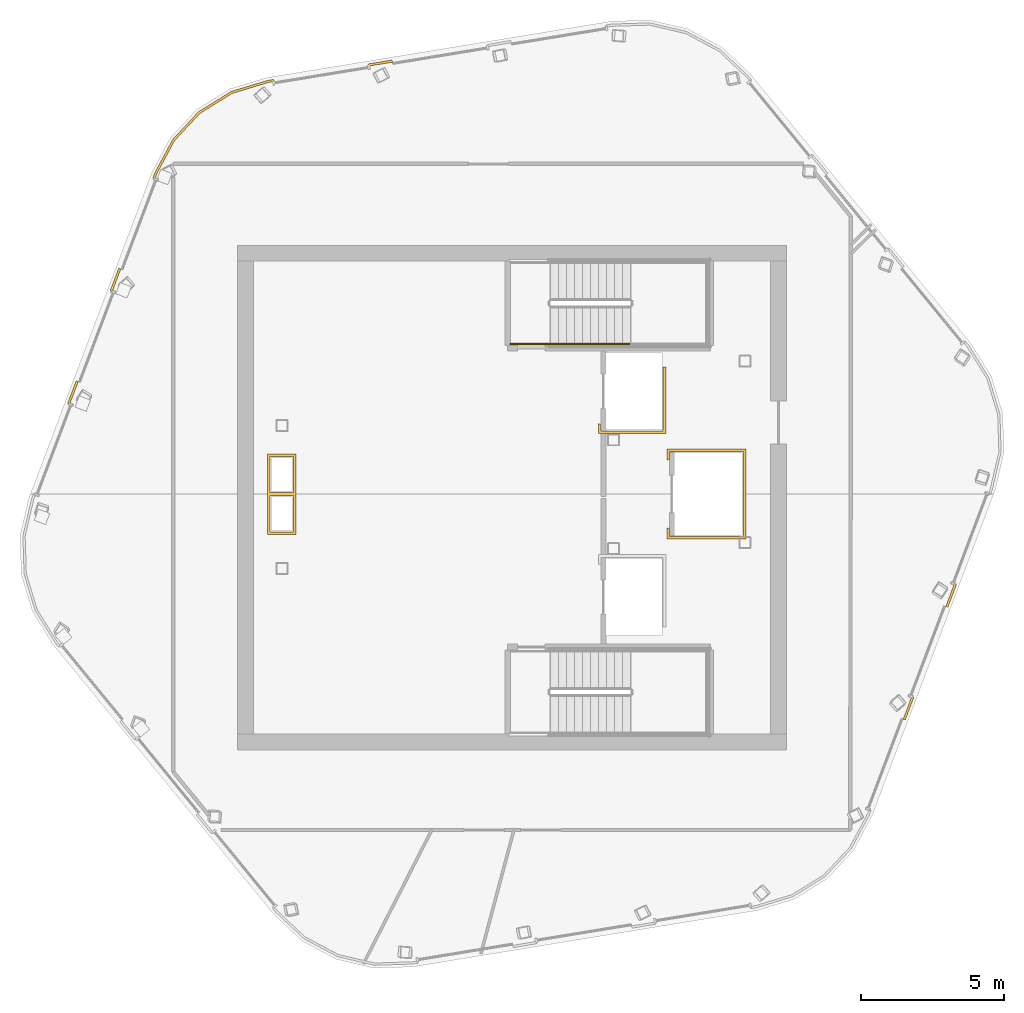
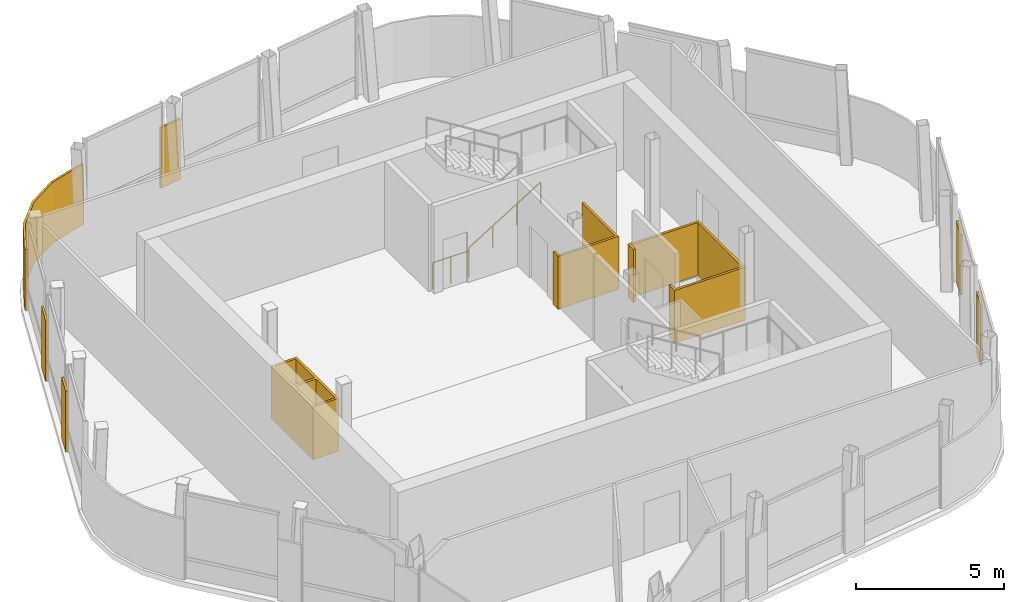
# One storey, part 7 of 8: 9 coverings, 2 railings.
"""IFC4 building model written with IfcOpenShell, lengths in metres."""

from ifc_helpers import new_model, si_unit, direction, frame, origin, origin_2d, place, context, subcontext, project, spatial, polyline, circle, outline, extrude, material, layer, layer_set, type_object, element, save


model = new_model("IFC4")

# Units and contexts
model_context = context("Model", 3, precision=1e-05, world=origin(), true_north=direction((0.0, 1.0)))
body_context = subcontext(model_context, "Body", "Model", "MODEL_VIEW")
ifc_project = project(units=[si_unit("LENGTHUNIT", "METRE"), si_unit("AREAUNIT", "SQUARE_METRE"), si_unit("VOLUMEUNIT", "CUBIC_METRE"), si_unit("PLANEANGLEUNIT", "RADIAN"), si_unit("MASSUNIT", "GRAM", prefix="KILO")], contexts=[model_context])

# Site, building, storey
site_placement = place(None, origin())
site = spatial("IfcSite", under=ifc_project, at=site_placement, CompositionType="ELEMENT")
building_placement = place(site_placement, origin())
building = spatial("IfcBuilding", under=site, at=building_placement, Name="Valkerne Bourse Tower", CompositionType="ELEMENT")
storey_placement = place(building_placement, frame((0.0, 0.0, 323.0)))
storey = spatial("IfcBuildingStorey", under=building, at=storey_placement, Name="L82", CompositionType="ELEMENT", Elevation=323.0)

# Coverings
ifc_material_1 = material(Name="Bronze Anodised Aluminium AA 6063-T6", Category="aluminium")
ifc_layer_1 = layer(ifc_material_1, 0.06005859375)
ifc_layer_set_1 = layer_set([ifc_layer_1], Name="Bronze Anodised Aluminium AA 6063-T6")
covering_type_1 = type_object("IfcCoveringType", Name="COV-CRN-ALUM", PredefinedType="CLADDING", material=ifc_layer_set_1)
covering_1_placement = place(storey_placement, origin())
element("IfcCovering", 1, at=covering_1_placement, inside=storey, type_object=covering_type_1, Name="L82 Wind-Shaped Corner Aluminium Cladding 02", PredefinedType="CLADDING", context=body_context, shape_type="SweptSolid", body=[
    extrude(outline(polyline([(62.046630859375, 23.041259765625), (61.9716796875, 23.0693359375), (62.268798828125, 23.855224609375), (62.343505859375, 23.826904296875), (62.046630859375, 23.041259765625)])), origin(), (0.0, 0.0, 1.0), 2.5),
])
covering_2_placement = place(storey_placement, origin())
element("IfcCovering", 2, at=covering_2_placement, inside=storey, type_object=covering_type_1, Name="L82 Wind-Shaped Corner Aluminium Cladding 03", PredefinedType="CLADDING", context=body_context, shape_type="SweptSolid", body=[
    extrude(outline(polyline([(60.5576171875, 19.10107421875), (60.48291015625, 19.12939453125), (60.77978515625, 19.9150390625), (60.8544921875, 19.886962890625), (60.5576171875, 19.10107421875)])), origin(), (0.0, 0.0, 1.0), 2.5),
])
covering_3_placement = place(storey_placement, origin())
element("IfcCovering", 3, at=covering_3_placement, inside=storey, type_object=covering_type_1, Name="L82 Wind-Shaped Corner Aluminium Cladding 11", PredefinedType="CLADDING", context=body_context, shape_type="SweptSolid", body=[
    extrude(outline(polyline([(31.553466796875, 30.958740234375), (31.62841796875, 30.9306640625), (31.331298828125, 30.144775390625), (31.256591796875, 30.173095703125), (31.553466796875, 30.958740234375)])), origin(), (0.0, 0.0, 1.0), 2.5),
])
covering_4_placement = place(storey_placement, origin())
element("IfcCovering", 4, at=covering_4_placement, inside=storey, type_object=covering_type_1, Name="L82 Wind-Shaped Corner Aluminium Cladding 12", PredefinedType="CLADDING", context=body_context, shape_type="SweptSolid", body=[
    extrude(outline(polyline([(33.042236328125, 34.89892578125), (33.1171875, 34.87060546875), (32.8203125, 34.0849609375), (32.745361328125, 34.113037109375), (33.042236328125, 34.89892578125)])), origin(), (0.0, 0.0, 1.0), 2.5),
])
covering_5_placement = place(storey_placement, origin())
element("IfcCovering", 5, at=covering_5_placement, inside=storey, type_object=covering_type_1, Name="L82 Wind-Shaped Corner Aluminium Cladding 13", PredefinedType="CLADDING", context=body_context, shape_type="SweptSolid", body=[
    extrude(outline(polyline([(34.302490234375, 38.23388671875), (34.9345703125, 39.412841796875), (35.845947265625, 40.38330078125), (36.977294921875, 41.084716796875), (38.2578125, 41.471435546875), (38.448486328125, 41.502685546875), (38.46142578125, 41.423828125), (38.27587890625, 41.393310546875), (37.010498046875, 41.01123046875), (35.89697265625, 40.32080078125), (35.0, 39.365966796875), (34.37548828125, 38.20068359375), (34.30908203125, 38.02490234375), (34.234130859375, 38.05322265625), (34.302490234375, 38.23388671875)])), origin(), (0.0, 0.0, 1.0), 2.5),
])
covering_6_placement = place(storey_placement, origin())
element("IfcCovering", 6, at=covering_6_placement, inside=storey, type_object=covering_type_1, Name="L82 Wind-Shaped Corner Aluminium Cladding 14", PredefinedType="CLADDING", context=body_context, shape_type="SweptSolid", body=[
    extrude(outline(polyline([(42.60498046875, 42.183349609375), (42.6181640625, 42.1044921875), (41.789306640625, 41.96875), (41.776123046875, 42.047607421875), (42.60498046875, 42.183349609375)])), origin(), (0.0, 0.0, 1.0), 2.5),
])
ifc_material_2 = material(Name="Gypsum Shaftwall Liner Board", Category="gypsum")
ifc_layer_2 = layer(ifc_material_2, 0.080078125)
ifc_layer_set_2 = layer_set([ifc_layer_2], Name="Gypsum Shaftwall Liner Board")
covering_type_2 = type_object("IfcCoveringType", Name="COV-SHF-CLAD", PredefinedType="CLADDING", material=ifc_layer_set_2)
covering_7_placement = place(storey_placement, origin())
element("IfcCovering", 7, at=covering_7_placement, inside=storey, type_object=covering_type_2, Name="L82 Hoistway & Riser Shaftwall Liner 02", PredefinedType="CLADDING", context=body_context, shape_type="SweptSolid", body=[
    extrude(outline(polyline([(38.239990234375, 25.590087890625), (38.239990234375, 26.9599609375), (38.239990234375, 27.0400390625), (38.239990234375, 28.409912109375), (39.239990234375, 28.409912109375), (39.239990234375, 27.0400390625), (39.239990234375, 26.9599609375), (39.239990234375, 25.590087890625), (38.239990234375, 25.590087890625)]), holes=[polyline([(39.14990234375, 25.679931640625), (39.14990234375, 26.949951171875), (38.330078125, 26.949951171875), (38.330078125, 25.679931640625), (39.14990234375, 25.679931640625)]), polyline([(39.14990234375, 28.320068359375), (38.330078125, 28.320068359375), (38.330078125, 27.050048828125), (39.14990234375, 27.050048828125), (39.14990234375, 28.320068359375)])]), origin(), (0.0, 0.0, 1.0), 2.179931640625),
])
covering_8_placement = place(storey_placement, origin())
element("IfcCovering", 8, at=covering_8_placement, inside=storey, type_object=covering_type_2, Name="L82 Hoistway & Riser Shaftwall Liner 03", PredefinedType="CLADDING", context=body_context, shape_type="SweptSolid", body=[
    extrude(outline(polyline([(52.219970703125, 25.81787109375), (52.227783203125, 25.814208984375), (52.269287109375, 25.79931640625), (52.31005859375, 25.789306640625), (52.31005859375, 25.510009765625), (54.889892578125, 25.510009765625), (54.889892578125, 28.489990234375), (52.31005859375, 28.489990234375), (52.31005859375, 28.210693359375), (52.269287109375, 28.20068359375), (52.227783203125, 28.185791015625), (52.219970703125, 28.18212890625), (52.219970703125, 28.580078125), (54.97998046875, 28.580078125), (54.97998046875, 25.419921875), (52.219970703125, 25.419921875), (52.219970703125, 25.81787109375)])), origin(), (0.0, 0.0, 1.0), 2.179931640625),
])
covering_9_placement = place(storey_placement, origin())
element("IfcCovering", 9, at=covering_9_placement, inside=storey, type_object=covering_type_2, Name="L82 Hoistway & Riser Shaftwall Liner 04", PredefinedType="CLADDING", context=body_context, shape_type="SweptSolid", body=[
    extrude(outline(polyline([(49.909912109375, 29.2099609375), (52.090087890625, 29.2099609375), (52.090087890625, 31.449951171875), (52.179931640625, 31.449951171875), (52.179931640625, 29.1201171875), (49.820068359375, 29.1201171875), (49.820068359375, 29.468017578125), (49.827880859375, 29.46435546875), (49.869384765625, 29.449462890625), (49.909912109375, 29.439208984375), (49.909912109375, 29.2099609375)])), origin(), (0.0, 0.0, 1.0), 2.179931640625),
])

# Railings
ifc_material_3 = material(Name="Galvanised Painted Steel", Category="steel")
railing_type_1 = type_object("IfcRailingType", Name="RLG-ST-GUARD-1120", PredefinedType="GUARDRAIL", material=ifc_material_3)
railing_1_placement = place(storey_placement, frame((46.75, 32.25, 0.0)))
element("IfcRailing", 10, at=railing_1_placement, inside=storey, type_object=railing_type_1, Name="L82 ST-2 stair guard 8", PredefinedType="GUARDRAIL", context=body_context, shape_type="SweptSolid", body=[
    extrude(circle(Radius=0.02392578125, at=origin_2d()), frame((0.0, 0.0, 1.09619140625), z_axis=(1.0, 0.0, 0.0), x_axis=(0.0, 1.0, 0.0)), (0.0, 0.0, 1.0), 1.39990234375),
    extrude(circle(Radius=0.02099609375, at=origin_2d()), origin(), (0.0, 0.0, 1.0), 1.072021484375),
    extrude(circle(Radius=0.02099609375, at=origin_2d()), frame((0.699951171875, 0.0, 0.0)), (0.0, 0.0, 1.0), 1.072021484375),
    extrude(circle(Radius=0.02099609375, at=origin_2d()), frame((1.39990234375, 0.0, 0.0)), (0.0, 0.0, 1.0), 1.072021484375),
])
ifc_material_4 = material(Name="Stainless Steel AISI 316", Category="steel")
railing_type_2 = type_object("IfcRailingType", Name="RLG-ST-HANDRAIL-900", PredefinedType="HANDRAIL", material=ifc_material_4)
railing_2_placement = place(storey_placement, frame((48.14990234375, 32.25, 0.345458984375)))
element("IfcRailing", 11, at=railing_2_placement, inside=storey, type_object=railing_type_2, Name="L82 ST-2 stair handrail 1", PredefinedType="HANDRAIL", context=body_context, shape_type="SweptSolid", body=[
    extrude(circle(Radius=0.02392578125, at=origin_2d()), frame((0.0, 0.0, 0.8759765625), z_axis=(0.851089632645, 0.0, 0.525020415988), x_axis=(0.0, 1.0, 0.0)), (0.0, 0.0, 1.0), 3.2900390625),
    extrude(circle(Radius=0.02099609375, at=origin_2d()), origin(), (0.0, 0.0, 1.0), 0.851806640625),
    extrude(circle(Radius=0.02099609375, at=origin_2d()), frame((0.933349609375, 0.0, 0.57568359375)), (0.0, 0.0, 1.0), 0.851806640625),
    extrude(circle(Radius=0.02099609375, at=origin_2d()), frame((1.86669921875, 0.0, 1.151611328125)), (0.0, 0.0, 1.0), 0.851806640625),
    extrude(circle(Radius=0.02099609375, at=origin_2d()), frame((2.800048828125, 0.0, 1.727294921875)), (0.0, 0.0, 1.0), 0.851806640625),
])

save(model, "model.ifc")
